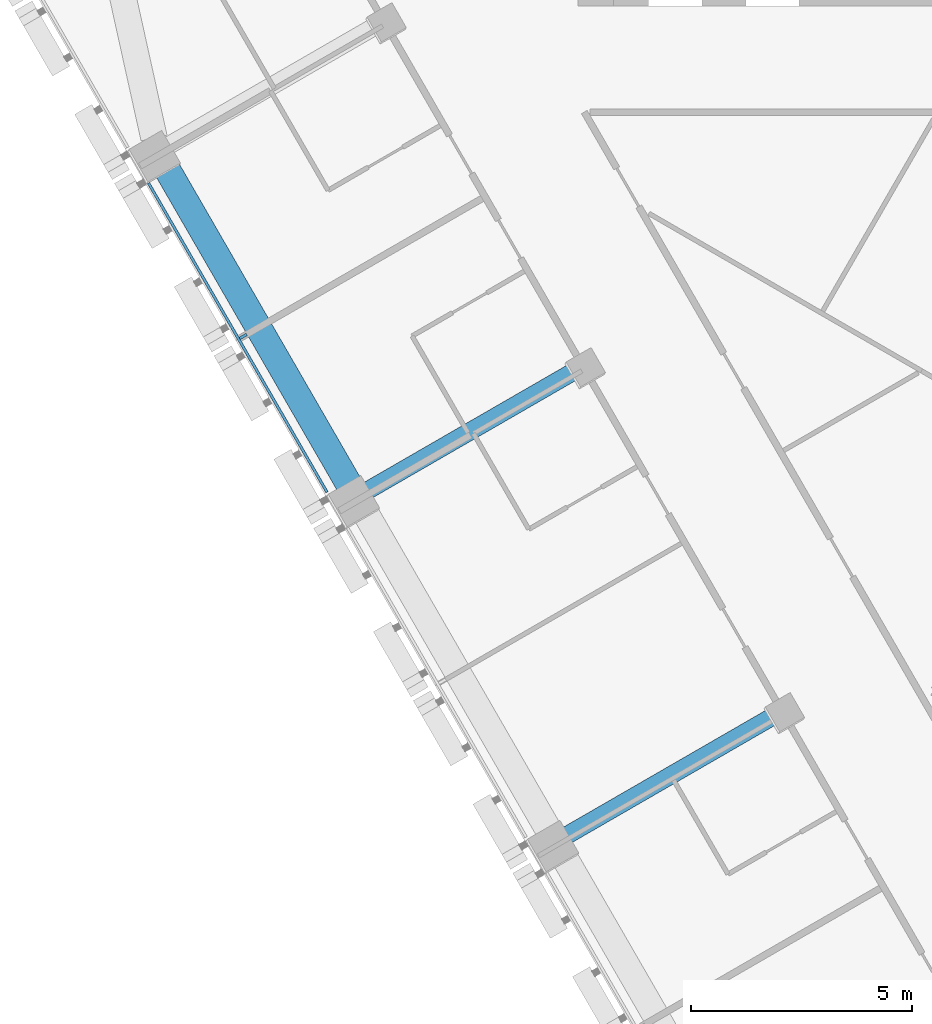
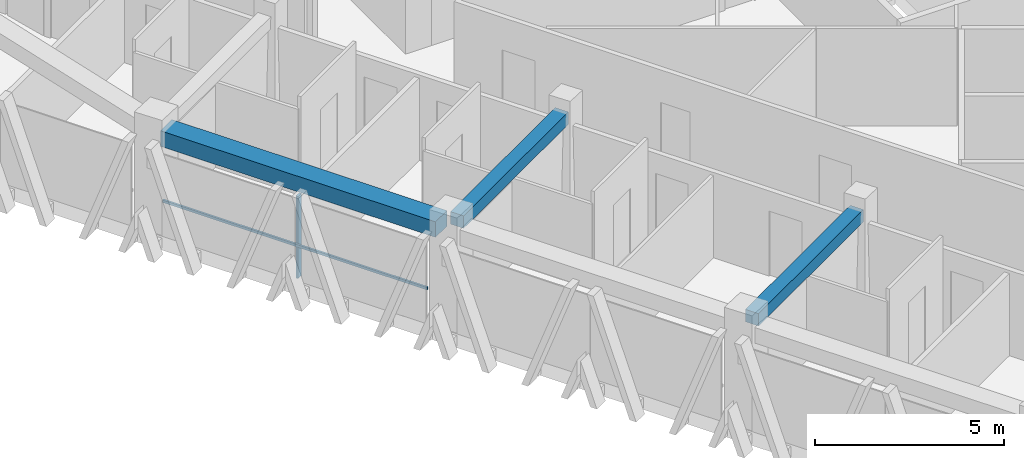
# One storey, part 3 of 16: 3 beams, 2 members, 1 element without a shape of its own.
"""IFC4 building model written with IfcOpenShell, lengths in metres."""

from ifc_helpers import new_model, si_unit, direction, frame, origin, origin_2d, place, context, subcontext, project, spatial, rectangle, extrude, material, layer, layer_set, material_profile, profile_set, type_object, element, aggregate, save


model = new_model("IFC4")

# Units and contexts
model_context = context("Model", 3, precision=1e-05, world=origin(), true_north=direction((0.0, 1.0)))
body_context = subcontext(model_context, "Body", "Model", "MODEL_VIEW")
ifc_project = project(units=[si_unit("LENGTHUNIT", "METRE"), si_unit("AREAUNIT", "SQUARE_METRE"), si_unit("VOLUMEUNIT", "CUBIC_METRE"), si_unit("PLANEANGLEUNIT", "RADIAN"), si_unit("MASSUNIT", "GRAM", prefix="KILO")], contexts=[model_context])

# Site, building, storey
site_placement = place(None, origin())
site = spatial("IfcSite", under=ifc_project, at=site_placement, CompositionType="ELEMENT")
building_placement = place(site_placement, origin())
building = spatial("IfcBuilding", under=site, at=building_placement, Name="Altiplano Prism Tower", CompositionType="ELEMENT")
storey_placement = place(building_placement, frame((0.0, 0.0, 124.199951171875)))
storey = spatial("IfcBuildingStorey", under=building, at=storey_placement, Name="L31", CompositionType="ELEMENT", Elevation=124.199951171875)

# Curtain wall, members
ifc_material_1 = material(Name="Aluminium and glass", Category="aluminium")
ifc_layer = layer(ifc_material_1, 0.280029296875)
ifc_layer_set = layer_set([ifc_layer], Name="Aluminium and glass")
curtain_wall_type = type_object("IfcCurtainWallType", Name="CW1 typical co-living unitised curtain wall", PredefinedType="NOTDEFINED", material=ifc_layer_set)
curtain_wall_placement = place(storey_placement, origin())
curtain_wall = element("IfcCurtainWall", 1, at=curtain_wall_placement, inside=storey, type_object=curtain_wall_type, Name="CW1 curtain wall south-west face L31", PredefinedType="NOTDEFINED")
ifc_material_2 = material(Name="Aluminium", Category="aluminium")
ifc_material_profile_1 = material_profile(ifc_material_2, rectangle(XDim=0.179931640625, YDim=0.06494140625, at=origin_2d()), Name="CW1 mullion 65 x 180")
ifc_profile_set_1 = profile_set([ifc_material_profile_1], Name="Aluminium")
member_type_1 = type_object("IfcMemberType", Name="CW1 mullion 65 x 180", PredefinedType="MULLION", material=ifc_profile_set_1)
member_1_placement = place(storey_placement, frame((64.6376953125, 85.1298828125, 0.0), z_axis=(0.0, 0.0, 1.0), x_axis=(0.866025409719, 0.499999989722, 0.0)))
member_1 = element("IfcMember", 2, at=member_1_placement, type_object=member_type_1, Name="CW1 mullion", PredefinedType="MULLION", context=body_context, shape_type="SweptSolid", body=[
    extrude(rectangle(XDim=0.179931640625, YDim=0.06494140625, at=origin_2d()), origin(), (0.0, 0.0, 1.0), 2.650146484375),
])
ifc_material_profile_2 = material_profile(ifc_material_2, rectangle(XDim=0.06005859375, YDim=0.080078125, at=origin_2d()), Name="CW1 transom 80 x 60")
ifc_profile_set_2 = profile_set([ifc_material_profile_2], Name="Aluminium")
member_type_2 = type_object("IfcMemberType", Name="CW1 transom 80 x 60", PredefinedType="USERDEFINED", material=ifc_profile_set_2)
member_2_placement = place(storey_placement, frame((62.49658203125, 88.598388671875, 1.10009765625), z_axis=(0.500007908628, -0.866020837688, 0.0), x_axis=(0.866020837688, 0.500007908628, 0.0)))
member_2 = element("IfcMember", 3, at=member_2_placement, type_object=member_type_2, Name="CW1 transom", ObjectType="TRANSOM", PredefinedType="USERDEFINED", context=body_context, shape_type="SweptSolid", body=[
    extrude(rectangle(XDim=0.06005859375, YDim=0.080078125, at=origin_2d()), origin(), (0.0, 0.0, 1.0), 8.069580078125),
])
aggregate(curtain_wall, [member_1, member_2])

# Beams
ifc_material_3 = material(Name="Concrete C60/75", Category="concrete")
ifc_material_profile_3 = material_profile(ifc_material_3, rectangle(XDim=0.60009765625, YDim=0.5, at=origin_2d()), Name="Edge beam 600x500")
ifc_profile_set_3 = profile_set([ifc_material_profile_3], Name="Concrete C60/75")
beam_type_1 = type_object("IfcBeamType", Name="Edge beam 600x500", PredefinedType="SPANDREL", material=ifc_profile_set_3)
beam_placement = place(storey_placement, frame((62.845458984375, 89.031494140625, 2.900146484375), z_axis=(0.499988621418, -0.866031973112, 0.0), x_axis=(0.866031973112, 0.499988621418, 0.0)))
element("IfcBeam", 4, at=beam_placement, inside=storey, type_object=beam_type_1, Name="Edge beam P11-P12 L32", PredefinedType="SPANDREL", context=body_context, shape_type="SweptSolid", body=[
    extrude(rectangle(XDim=0.60009765625, YDim=0.5, at=origin_2d()), origin(), (0.0, 0.0, 1.0), 8.389892578125),
])
ifc_material_profile_4 = material_profile(ifc_material_3, rectangle(XDim=0.39990234375, YDim=0.39990234375, at=origin_2d()), Name="Tie beam 400x400")
ifc_profile_set_4 = profile_set([ifc_material_profile_4], Name="Concrete C60/75")
beam_type_2 = type_object("IfcBeamType", Name="Tie beam 400x400", PredefinedType="BEAM", material=ifc_profile_set_4)
for number, where, z_axis, x_axis, name in (
    (5, (72.2548828125, 84.423828125, 2.949951171875), (-0.866027073272, -0.499997108352, 0.0), (0.499997108352, -0.866027073272, 0.0), "Tie beam I12 L32"),
    (6, (76.7548828125, 76.629638671875, 2.949951171875), (-0.866027073272, -0.499997108352, 0.0), (0.499997108352, -0.866027073272, 0.0), "Tie beam I13 L32"),
):
    element("IfcBeam", number, at=place(storey_placement, frame(where, z_axis=z_axis, x_axis=x_axis)), inside=storey, type_object=beam_type_2, Name=name, PredefinedType="BEAM", context=body_context, shape_type="SweptSolid", body=[
        extrude(rectangle(XDim=0.39990234375, YDim=0.39990234375, at=origin_2d()), origin(), (0.0, 0.0, 1.0), 5.5400390625),
    ])

save(model, "model.ifc")
